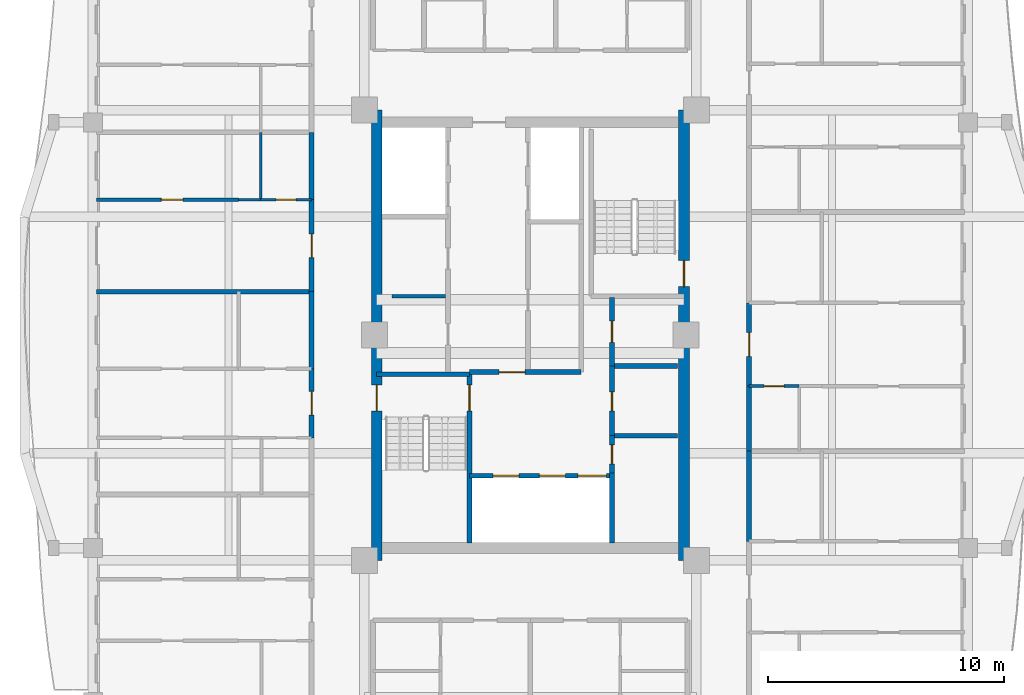
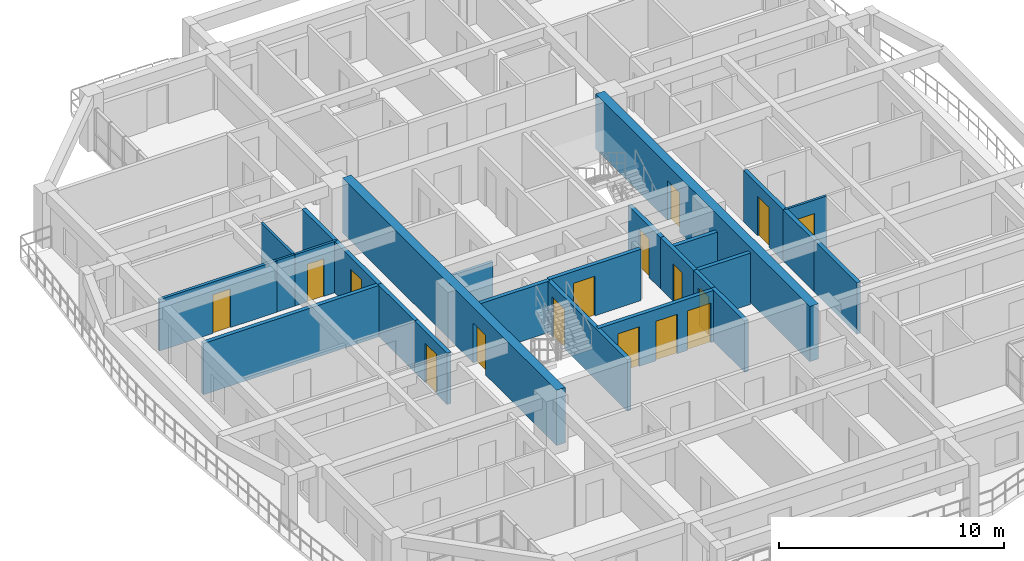
# One storey, part 12 of 22: 26 walls, 16 doors, 16 openings.
"""IFC4 building model written with IfcOpenShell, lengths in metres."""

from ifc_helpers import new_model, si_unit, direction, frame, frame_2d, origin, place, context, subcontext, project, spatial, rectangle, extrude, source, transform, mapped, material, layer, layer_set, type_object, element, fill, save


model = new_model("IFC4")

# Units and contexts
model_context = context("Model", 3, precision=1e-05, world=origin(), true_north=direction((0.0, 1.0)))
body_context = subcontext(model_context, "Body", "Model", "MODEL_VIEW")
ifc_project = project(units=[si_unit("LENGTHUNIT", "METRE"), si_unit("AREAUNIT", "SQUARE_METRE"), si_unit("VOLUMEUNIT", "CUBIC_METRE"), si_unit("PLANEANGLEUNIT", "RADIAN"), si_unit("MASSUNIT", "GRAM", prefix="KILO")], contexts=[model_context])

# Site, building, storey
site_placement = place(None, origin())
site = spatial("IfcSite", under=ifc_project, at=site_placement, CompositionType="ELEMENT")
building_placement = place(site_placement, origin())
building = spatial("IfcBuilding", under=site, at=building_placement, Name="Saelheon Loggia Tower", CompositionType="ELEMENT")
storey_placement = place(building_placement, frame((0.0, 0.0, 196.60009765625)))
storey = spatial("IfcBuildingStorey", under=building, at=storey_placement, Name="L61", CompositionType="ELEMENT", Elevation=196.60009765625)

# Wall, opening, door
ifc_material_1 = material(Name="Concrete C45/55", Category="concrete")
ifc_layer_1 = layer(ifc_material_1, 0.449951171875)
ifc_layer_set_1 = layer_set([ifc_layer_1], Name="Concrete C45/55")
wall_type_1 = type_object("IfcWallType", Name="Wall_CoreShear_450", PredefinedType="SHEAR", material=ifc_layer_set_1)
wall_1_placement = place(storey_placement, frame((31.5, 17.47998046875, 0.0), z_axis=(0.0, 0.0, 1.0), x_axis=(0.0, 1.0, 0.0)))
wall_1 = element("IfcWall", 1, at=wall_1_placement, inside=storey, type_object=wall_type_1, Name="L61 Core Shear Wall West", PredefinedType="SHEAR", context=body_context, shape_type="SweptSolid", body=[
    extrude(rectangle(XDim=19.0400390625, YDim=0.449951171875, at=frame_2d((9.52001953125, 0.0))), origin(), (0.0, 0.0, 1.0), 3.0),
])
opening_1_placement = place(wall_1_placement, frame((6.320068359375, 0.0, 0.0)))
opening_1 = element("IfcOpeningElement", 2, at=opening_1_placement, cuts=wall_1, Name="Opening D-FD2", PredefinedType="OPENING", context=body_context, shape_type="SweptSolid", body=[
    extrude(rectangle(XDim=1.10009765625, YDim=2.14990234375, at=frame_2d((0.550048828125, 1.074951171875))), frame((0.0, 0.237060546875, 0.0), z_axis=(0.0, -1.0, 0.0), x_axis=(1.0, 0.0, 0.0)), (0.0, 0.0, 1.0), 0.473876953125),
])
ifc_material_2 = material(Name="Galvanised Steel Fire Door", Category="steel")
door_type_1 = type_object("IfcDoorType", Name="Door_Fire_FD60_1100", OperationType="NOTDEFINED", PredefinedType="DOOR", material=ifc_material_2)
shared_shape_1 = source(origin(), body_context, "Body", "SweptSolid", [
    extrude(rectangle(XDim=1.10009765625, YDim=2.14990234375, at=frame_2d((0.550048828125, 1.074951171875))), frame((0.0, 0.02490234375, 0.0), z_axis=(0.0, -1.0, 0.0), x_axis=(1.0, 0.0, 0.0)), (0.0, 0.0, 1.0), 0.050048828125),
])
door_1_placement = place(opening_1_placement, origin())
door_1 = element("IfcDoor", 3, at=door_1_placement, inside=storey, type_object=door_type_1, Name="L61 Stair ST1 Corridor Door", OperationType="SINGLE_SWING_LEFT", OverallHeight=2.14990234375, OverallWidth=1.10009765625, PredefinedType="DOOR", context=body_context, shape_type="MappedRepresentation", body=[
    mapped(shared_shape_1, transform((0.0, 0.0, 0.0), scale=1.0)),
])
fill(opening_1, door_1)

wall_2_placement = place(storey_placement, frame((44.5, 17.47998046875, 0.0), z_axis=(0.0, 0.0, 1.0), x_axis=(0.0, 1.0, 0.0)))
wall_2 = element("IfcWall", 4, at=wall_2_placement, inside=storey, type_object=wall_type_1, Name="L61 Core Shear Wall East", PredefinedType="SHEAR", context=body_context, shape_type="SweptSolid", body=[
    extrude(rectangle(XDim=19.0400390625, YDim=0.449951171875, at=frame_2d((9.52001953125, 0.0))), origin(), (0.0, 0.0, 1.0), 3.0),
])
opening_2_placement = place(wall_2_placement, frame((12.670166015625, 0.0, 0.0), z_axis=(0.0, 0.0, 1.0), x_axis=(-1.0, 0.0, 0.0)))
opening_2 = element("IfcOpeningElement", 5, at=opening_2_placement, cuts=wall_2, Name="Opening D-FD2", PredefinedType="OPENING", context=body_context, shape_type="SweptSolid", body=[
    extrude(rectangle(XDim=1.10009765625, YDim=2.14990234375, at=frame_2d((0.550048828125, 1.074951171875))), frame((0.0, 0.237060546875, 0.0), z_axis=(0.0, -1.0, 0.0), x_axis=(1.0, 0.0, 0.0)), (0.0, 0.0, 1.0), 0.473876953125),
])
door_2_placement = place(opening_2_placement, origin())
door_2 = element("IfcDoor", 6, at=door_2_placement, inside=storey, type_object=door_type_1, Name="L61 Stair ST2 Corridor Door", OperationType="SINGLE_SWING_RIGHT", OverallHeight=2.14990234375, OverallWidth=1.10009765625, PredefinedType="DOOR", context=body_context, shape_type="MappedRepresentation", body=[
    mapped(shared_shape_1, transform((0.0, 0.0, 0.0), scale=1.0)),
])
fill(opening_2, door_2)

# Wall
ifc_material_3 = material(Name="Lightweight Autoclaved Aerated Concrete Block and Acoustic Gypsum", Category="concrete")
ifc_layer_2 = layer(ifc_material_3, 0.14990234375)
ifc_layer_set_2 = layer_set([ifc_layer_2], Name="Lightweight Autoclaved Aerated Concrete Block and Acoustic Gypsum")
wall_type_2 = type_object("IfcWallType", Name="Wall_Part_150", PredefinedType="PARTITIONING", material=ifc_layer_set_2)
wall_3_placement = place(storey_placement, frame((32.14990234375, 28.64990234375, 0.0), z_axis=(0.0, 0.0, 1.0), x_axis=(1.0, 0.0, 0.0)))
element("IfcWall", 7, at=wall_3_placement, inside=storey, type_object=wall_type_2, Name="L61 Freed Core Partition PL", PredefinedType="PARTITIONING", context=body_context, shape_type="SweptSolid", body=[
    extrude(rectangle(XDim=2.27001953125, YDim=0.14990234375, at=frame_2d((1.135009765625, 0.0))), origin(), (0.0, 0.0, 1.0), 2.139892578125),
])

# Wall, opening, door
wall_4_placement = place(storey_placement, frame((25.669921875, 32.729248046875, 0.0), z_axis=(0.0, 0.0, 1.0), x_axis=(-1.0, 0.0, 0.0)))
wall_4 = element("IfcWall", 8, at=wall_4_placement, inside=storey, type_object=wall_type_2, Name="L61 W Partition U30", PredefinedType="PARTITIONING", context=body_context, shape_type="SweptSolid", body=[
    extrude(rectangle(XDim=6.02001953125, YDim=0.14990234375, at=frame_2d((3.010009765625, 0.0))), origin(), (0.0, 0.0, 1.0), 2.789794921875),
])
opening_3_placement = place(wall_4_placement, frame((2.36669921875, 0.0, 0.0)))
opening_3 = element("IfcOpeningElement", 9, at=opening_3_placement, cuts=wall_4, Name="Opening D-IN2", PredefinedType="OPENING", context=body_context, shape_type="SweptSolid", body=[
    extrude(rectangle(XDim=0.89990234375, YDim=2.10009765625, at=frame_2d((0.449951171875, 1.050048828125))), frame((0.0, 0.0869140625, 0.0), z_axis=(0.0, -1.0, 0.0), x_axis=(1.0, 0.0, 0.0)), (0.0, 0.0, 1.0), 0.173828125),
])
ifc_material_4 = material(Name="Engineered Oak Flush Door", Category="timber")
door_type_2 = type_object("IfcDoorType", Name="Door_Int_900", OperationType="NOTDEFINED", PredefinedType="DOOR", material=ifc_material_4)
shared_shape_2 = source(origin(), body_context, "Body", "SweptSolid", [
    extrude(rectangle(XDim=0.89990234375, YDim=2.10009765625, at=frame_2d((0.449951171875, 1.050048828125))), frame((0.0, 0.02490234375, 0.0), z_axis=(0.0, -1.0, 0.0), x_axis=(1.0, 0.0, 0.0)), (0.0, 0.0, 1.0), 0.050048828125),
])
door_3_placement = place(opening_3_placement, origin())
door_3 = element("IfcDoor", 10, at=door_3_placement, inside=storey, type_object=door_type_2, Name="Unit U07 Kitchen Door", OperationType="SINGLE_SWING_LEFT", OverallHeight=2.10009765625, OverallWidth=0.89990234375, PredefinedType="DOOR", context=body_context, shape_type="MappedRepresentation", body=[
    mapped(shared_shape_2, transform((0.0, 0.0, 0.0), scale=1.0)),
])
fill(opening_3, door_3)

ifc_material_5 = material(Name="Double Acoustic Stud and Fireboard Partition", Category="gypsum")
ifc_layer_3 = layer(ifc_material_5, 0.199951171875)
ifc_layer_set_3 = layer_set([ifc_layer_3], Name="Double Acoustic Stud and Fireboard Partition")
wall_type_3 = type_object("IfcWallType", Name="Wall_Party_200", PredefinedType="PARTITIONING", material=ifc_layer_set_3)
wall_5_placement = place(storey_placement, frame((28.75, 22.661376953125, 0.0), z_axis=(0.0, 0.0, 1.0), x_axis=(0.0, 1.0, 0.0)))
wall_5 = element("IfcWall", 11, at=wall_5_placement, inside=storey, type_object=wall_type_3, Name="L61 W Partition V15", PredefinedType="PARTITIONING", context=body_context, shape_type="SweptSolid", body=[
    extrude(rectangle(XDim=2.9169921875, YDim=0.199951171875, at=frame_2d((1.45849609375, 0.0))), origin(), (0.0, 0.0, 1.0), 2.789794921875),
])
opening_4_placement = place(wall_5_placement, frame((0.95849609375, 0.0, 0.0)))
opening_4 = element("IfcOpeningElement", 12, at=opening_4_placement, cuts=wall_5, Name="Opening D-FD1", PredefinedType="OPENING", context=body_context, shape_type="SweptSolid", body=[
    extrude(rectangle(XDim=1.0, YDim=2.14990234375, at=frame_2d((0.5, 1.074951171875))), frame((0.0, 0.112060546875, 0.0), z_axis=(0.0, -1.0, 0.0), x_axis=(1.0, 0.0, 0.0)), (0.0, 0.0, 1.0), 0.223876953125),
])
ifc_material_6 = material(Name="Fire-Rated Engineered Timber Entrance Door", Category="wood")
door_type_3 = type_object("IfcDoorType", Name="Door_Flat_FD30S", OperationType="NOTDEFINED", PredefinedType="DOOR", material=ifc_material_6)
shared_shape_3 = source(origin(), body_context, "Body", "SweptSolid", [
    extrude(rectangle(XDim=1.0, YDim=2.14990234375, at=frame_2d((0.5, 1.074951171875))), frame((0.0, 0.02490234375, 0.0), z_axis=(0.0, -1.0, 0.0), x_axis=(1.0, 0.0, 0.0)), (0.0, 0.0, 1.0), 0.050048828125),
])
door_4_placement = place(opening_4_placement, origin())
door_4 = element("IfcDoor", 13, at=door_4_placement, inside=storey, type_object=door_type_3, Name="Unit U06 Entrance Door", OperationType="SINGLE_SWING_RIGHT", OverallHeight=2.14990234375, OverallWidth=1.0, PredefinedType="DOOR", context=body_context, shape_type="MappedRepresentation", body=[
    mapped(shared_shape_3, transform((0.0, 0.0, 0.0), scale=1.0)),
])
fill(opening_4, door_4)

# Walls
wall_6_placement = place(storey_placement, frame((28.75, 25.578369140625, 0.0), z_axis=(0.0, 0.0, 1.0), x_axis=(0.0, 1.0, 0.0)))
element("IfcWall", 14, at=wall_6_placement, inside=storey, type_object=wall_type_3, Name="L61 W Partition V16", PredefinedType="PARTITIONING", context=body_context, shape_type="SweptSolid", body=[
    extrude(rectangle(XDim=3.260009765625, YDim=0.199951171875, at=frame_2d((1.6298828125, 0.0))), origin(), (0.0, 0.0, 1.0), 2.789794921875),
])
wall_7_placement = place(storey_placement, frame((28.75, 28.83837890625, 0.0), z_axis=(0.0, 0.0, 1.0), x_axis=(-1.0, 0.0, 0.0)))
element("IfcWall", 15, at=wall_7_placement, inside=storey, type_object=wall_type_3, Name="L61 W Partition U24", PredefinedType="PARTITIONING", context=body_context, shape_type="SweptSolid", body=[
    extrude(rectangle(XDim=9.10009765625, YDim=0.199951171875, at=frame_2d((4.550048828125, 0.0))), origin(), (0.0, 0.0, 1.0), 2.789794921875),
])

# Wall, opening, door
wall_8_placement = place(storey_placement, frame((28.75, 28.83837890625, 0.0), z_axis=(0.0, 0.0, 1.0), x_axis=(0.0, 1.0, 0.0)))
wall_8 = element("IfcWall", 16, at=wall_8_placement, inside=storey, type_object=wall_type_3, Name="L61 W Partition V25", PredefinedType="PARTITIONING", context=body_context, shape_type="SweptSolid", body=[
    extrude(rectangle(XDim=3.890869140625, YDim=0.199951171875, at=frame_2d((1.9453125, 0.0))), origin(), (0.0, 0.0, 1.0), 2.789794921875),
])
opening_5_placement = place(wall_8_placement, frame((1.4453125, 0.0, 0.0)))
opening_5 = element("IfcOpeningElement", 17, at=opening_5_placement, cuts=wall_8, Name="Opening D-FD1", PredefinedType="OPENING", context=body_context, shape_type="SweptSolid", body=[
    extrude(rectangle(XDim=1.0, YDim=2.14990234375, at=frame_2d((0.5, 1.074951171875))), frame((0.0, 0.112060546875, 0.0), z_axis=(0.0, -1.0, 0.0), x_axis=(1.0, 0.0, 0.0)), (0.0, 0.0, 1.0), 0.223876953125),
])
door_5_placement = place(opening_5_placement, origin())
door_5 = element("IfcDoor", 18, at=door_5_placement, inside=storey, type_object=door_type_3, Name="Unit U07 Entrance Door", OperationType="SINGLE_SWING_LEFT", OverallHeight=2.14990234375, OverallWidth=1.0, PredefinedType="DOOR", context=body_context, shape_type="MappedRepresentation", body=[
    mapped(shared_shape_3, transform((0.0, 0.0, 0.0), scale=1.0)),
])
fill(opening_5, door_5)

# Walls
wall_9_placement = place(storey_placement, frame((28.75, 32.729248046875, 0.0), z_axis=(0.0, 0.0, 1.0), x_axis=(0.0, 1.0, 0.0)))
element("IfcWall", 19, at=wall_9_placement, inside=storey, type_object=wall_type_3, Name="L61 W Partition V26", PredefinedType="PARTITIONING", context=body_context, shape_type="SweptSolid", body=[
    extrude(rectangle(XDim=2.849853515625, YDim=0.199951171875, at=frame_2d((1.4248046875, 0.0))), origin(), (0.0, 0.0, 1.0), 2.789794921875),
])
wall_10_placement = place(storey_placement, frame((47.25, 18.280029296875, 0.0), z_axis=(0.0, 0.0, 1.0), x_axis=(0.0, 1.0, 0.0)))
element("IfcWall", 20, at=wall_10_placement, inside=storey, type_object=wall_type_3, Name="L61 E Partition V05", PredefinedType="PARTITIONING", context=body_context, shape_type="SweptSolid", body=[
    extrude(rectangle(XDim=3.817626953125, YDim=0.199951171875, at=frame_2d((1.90869140625, 0.0))), origin(), (0.0, 0.0, 1.0), 2.789794921875),
])
wall_11_placement = place(storey_placement, frame((47.25, 22.09765625, 0.0), z_axis=(0.0, 0.0, 1.0), x_axis=(0.0, 1.0, 0.0)))
element("IfcWall", 21, at=wall_11_placement, inside=storey, type_object=wall_type_3, Name="L61 E Partition V14", PredefinedType="PARTITIONING", context=body_context, shape_type="SweptSolid", body=[
    extrude(rectangle(XDim=2.75, YDim=0.199951171875, at=frame_2d((1.375, 0.0))), origin(), (0.0, 0.0, 1.0), 2.789794921875),
])

# Wall, opening, door
wall_12_placement = place(storey_placement, frame((47.25, 24.84765625, 0.0), z_axis=(0.0, 0.0, 1.0), x_axis=(0.0, 1.0, 0.0)))
wall_12 = element("IfcWall", 22, at=wall_12_placement, inside=storey, type_object=wall_type_3, Name="L61 E Partition V15", PredefinedType="PARTITIONING", context=body_context, shape_type="SweptSolid", body=[
    extrude(rectangle(XDim=3.518798828125, YDim=0.199951171875, at=frame_2d((1.75927734375, 0.0))), origin(), (0.0, 0.0, 1.0), 2.789794921875),
])
opening_6_placement = place(wall_12_placement, frame((1.259521484375, 0.0, 0.0)))
opening_6 = element("IfcOpeningElement", 23, at=opening_6_placement, cuts=wall_12, Name="Opening D-FD1", PredefinedType="OPENING", context=body_context, shape_type="SweptSolid", body=[
    extrude(rectangle(XDim=1.0, YDim=2.14990234375, at=frame_2d((0.5, 1.074951171875))), frame((0.0, 0.112060546875, 0.0), z_axis=(0.0, -1.0, 0.0), x_axis=(1.0, 0.0, 0.0)), (0.0, 0.0, 1.0), 0.223876953125),
])
door_6_placement = place(opening_6_placement, origin())
door_6 = element("IfcDoor", 24, at=door_6_placement, inside=storey, type_object=door_type_3, Name="Unit U10 Entrance Door", OperationType="SINGLE_SWING_RIGHT", OverallHeight=2.14990234375, OverallWidth=1.0, PredefinedType="DOOR", context=body_context, shape_type="MappedRepresentation", body=[
    mapped(shared_shape_3, transform((0.0, 0.0, 0.0), scale=1.0)),
])
fill(opening_6, door_6)

# Walls
ifc_material_7 = material(Name="Concrete C40/50", Category="concrete")
ifc_layer_4 = layer(ifc_material_7, 0.199951171875)
ifc_layer_set_4 = layer_set([ifc_layer_4], Name="Concrete C40/50")
wall_type_4 = type_object("IfcWallType", Name="Wall_Shaft_200", PredefinedType="PARTITIONING", material=ifc_layer_set_4)
wall_13_placement = place(storey_placement, frame((41.550048828125, 22.75, 0.0), z_axis=(0.0, 0.0, 1.0), x_axis=(1.0, 0.0, 0.0)))
element("IfcWall", 25, at=wall_13_placement, inside=storey, type_object=wall_type_4, Name="CW-BOH-L61-H1", PredefinedType="PARTITIONING", context=body_context, shape_type="SweptSolid", body=[
    extrude(rectangle(XDim=2.669921875, YDim=0.199951171875, at=frame_2d((1.3349609375, 0.0))), origin(), (0.0, 0.0, 1.0), 2.789794921875),
])
wall_14_placement = place(storey_placement, frame((41.550048828125, 25.699951171875, 0.0), z_axis=(0.0, 0.0, 1.0), x_axis=(1.0, 0.0, 0.0)))
element("IfcWall", 26, at=wall_14_placement, inside=storey, type_object=wall_type_4, Name="CW-BOH-L61-H2", PredefinedType="PARTITIONING", context=body_context, shape_type="SweptSolid", body=[
    extrude(rectangle(XDim=2.669921875, YDim=0.199951171875, at=frame_2d((1.3349609375, 0.0))), origin(), (0.0, 0.0, 1.0), 2.139892578125),
])
wall_15_placement = place(storey_placement, frame((41.449951171875, 18.219970703125, 0.0), z_axis=(0.0, 0.0, 1.0), x_axis=(0.0, 1.0, 0.0)))
element("IfcWall", 27, at=wall_15_placement, inside=storey, type_object=wall_type_4, Name="CW-INT-L61-BOH-W0", PredefinedType="PARTITIONING", context=body_context, shape_type="SweptSolid", body=[
    extrude(rectangle(XDim=2.9599609375, YDim=0.199951171875, at=frame_2d((1.47998046875, 0.0))), origin(), (0.0, 0.0, 1.0), 2.789794921875),
])

# Wall, opening, door
wall_16_placement = place(storey_placement, frame((41.449951171875, 21.179931640625, 0.0), z_axis=(0.0, 0.0, 1.0), x_axis=(0.0, 1.0, 0.0)))
wall_16 = element("IfcWall", 28, at=wall_16_placement, inside=storey, type_object=wall_type_4, Name="CW-INT-L61-BOH-W1", PredefinedType="PARTITIONING", context=body_context, shape_type="SweptSolid", body=[
    extrude(rectangle(XDim=1.570068359375, YDim=0.199951171875, at=frame_2d((0.78515625, 0.0))), origin(), (0.0, 0.0, 1.0), 2.789794921875),
])
opening_7_placement = place(wall_16_placement, frame((0.3798828125, 0.0, 0.0)))
opening_7 = element("IfcOpeningElement", 29, at=opening_7_placement, cuts=wall_16, Name="Opening D-ST1", PredefinedType="OPENING", context=body_context, shape_type="SweptSolid", body=[
    extrude(rectangle(XDim=0.800048828125, YDim=2.050048828125, at=frame_2d((0.39990234375, 1.02490234375))), frame((0.0, 0.112060546875, 0.0), z_axis=(0.0, -1.0, 0.0), x_axis=(1.0, 0.0, 0.0)), (0.0, 0.0, 1.0), 0.223876953125),
])
ifc_material_8 = material(Name="Powder-Coated Steel Store Door", Category="steel")
door_type_4 = type_object("IfcDoorType", Name="Door_Store_800", OperationType="NOTDEFINED", PredefinedType="DOOR", material=ifc_material_8)
shared_shape_4 = source(origin(), body_context, "Body", "SweptSolid", [
    extrude(rectangle(XDim=0.800048828125, YDim=2.050048828125, at=frame_2d((0.39990234375, 1.02490234375))), frame((0.0, 0.02490234375, 0.0), z_axis=(0.0, -1.0, 0.0), x_axis=(1.0, 0.0, 0.0)), (0.0, 0.0, 1.0), 0.050048828125),
])
door_7_placement = place(opening_7_placement, origin())
door_7 = element("IfcDoor", 30, at=door_7_placement, inside=storey, type_object=door_type_4, Name="L61 Cleaner Store Door", OperationType="SINGLE_SWING_RIGHT", OverallHeight=2.050048828125, OverallWidth=0.800048828125, PredefinedType="DOOR", context=body_context, shape_type="MappedRepresentation", body=[
    mapped(shared_shape_4, transform((0.0, 0.0, 0.0), scale=1.0)),
])
fill(opening_7, door_7)

wall_17_placement = place(storey_placement, frame((41.449951171875, 22.75, 0.0), z_axis=(0.0, 0.0, 1.0), x_axis=(0.0, 1.0, 0.0)))
wall_17 = element("IfcWall", 31, at=wall_17_placement, inside=storey, type_object=wall_type_4, Name="CW-INT-L61-BOH-W2", PredefinedType="PARTITIONING", context=body_context, shape_type="SweptSolid", body=[
    extrude(rectangle(XDim=2.949951171875, YDim=0.199951171875, at=frame_2d((1.47509765625, 0.0))), origin(), (0.0, 0.0, 1.0), 2.789794921875),
])
opening_8_placement = place(wall_17_placement, frame((1.050048828125, 0.0, 0.0)))
opening_8 = element("IfcOpeningElement", 32, at=opening_8_placement, cuts=wall_17, Name="Opening D-ST1", PredefinedType="OPENING", context=body_context, shape_type="SweptSolid", body=[
    extrude(rectangle(XDim=0.800048828125, YDim=2.050048828125, at=frame_2d((0.39990234375, 1.02490234375))), frame((0.0, 0.112060546875, 0.0), z_axis=(0.0, -1.0, 0.0), x_axis=(1.0, 0.0, 0.0)), (0.0, 0.0, 1.0), 0.223876953125),
])
door_8_placement = place(opening_8_placement, origin())
door_8 = element("IfcDoor", 33, at=door_8_placement, inside=storey, type_object=door_type_4, Name="L61 Electrical Riser Door", OperationType="SINGLE_SWING_LEFT", OverallHeight=2.050048828125, OverallWidth=0.800048828125, PredefinedType="DOOR", context=body_context, shape_type="MappedRepresentation", body=[
    mapped(shared_shape_4, transform((0.0, 0.0, 0.0), scale=1.0)),
])
fill(opening_8, door_8)

wall_18_placement = place(storey_placement, frame((41.449951171875, 25.699951171875, 0.0), z_axis=(0.0, 0.0, 1.0), x_axis=(0.0, 1.0, 0.0)))
wall_18 = element("IfcWall", 34, at=wall_18_placement, inside=storey, type_object=wall_type_4, Name="CW-INT-L61-BOH-W3", PredefinedType="PARTITIONING", context=body_context, shape_type="SweptSolid", body=[
    extrude(rectangle(XDim=2.900146484375, YDim=0.199951171875, at=frame_2d((1.4501953125, 0.0))), origin(), (0.0, 0.0, 1.0), 2.789794921875),
])
opening_9_placement = place(wall_18_placement, frame((1.0, 0.0, 0.0)))
opening_9 = element("IfcOpeningElement", 35, at=opening_9_placement, cuts=wall_18, Name="Opening D-RS1", PredefinedType="OPENING", context=body_context, shape_type="SweptSolid", body=[
    extrude(rectangle(XDim=0.89990234375, YDim=2.10009765625, at=frame_2d((0.449951171875, 1.050048828125))), frame((0.0, 0.112060546875, 0.0), z_axis=(0.0, -1.0, 0.0), x_axis=(1.0, 0.0, 0.0)), (0.0, 0.0, 1.0), 0.223876953125),
])
ifc_material_9 = material(Name="Galvanised Steel Riser Access Door", Category="steel")
door_type_5 = type_object("IfcDoorType", Name="Door_Riser_FD60", OperationType="NOTDEFINED", PredefinedType="DOOR", material=ifc_material_9)
door_9_placement = place(opening_9_placement, origin())
door_9 = element("IfcDoor", 36, at=door_9_placement, inside=storey, type_object=door_type_5, Name="L61 Floor IT Room Door", OperationType="SINGLE_SWING_RIGHT", OverallHeight=2.10009765625, OverallWidth=0.89990234375, PredefinedType="DOOR", context=body_context, shape_type="MappedRepresentation", body=[
    mapped(shared_shape_2, transform((0.0, 0.0, 0.0), scale=1.0)),
])
fill(opening_9, door_9)

# Wall, openings, doors
wall_19_placement = place(storey_placement, frame((35.429931640625, 21.06005859375, 0.0), z_axis=(0.0, 0.0, 1.0), x_axis=(1.0, 0.0, 0.0)))
wall_19 = element("IfcWall", 37, at=wall_19_placement, inside=storey, type_object=wall_type_4, Name="L61 Firefighting Lift Shaft Front Wall", PredefinedType="PARTITIONING", context=body_context, shape_type="SweptSolid", body=[
    extrude(rectangle(XDim=6.02001953125, YDim=0.199951171875, at=frame_2d((3.010009765625, 0.0))), origin(), (0.0, 0.0, 1.0), 2.789794921875),
])
opening_10_placement = place(wall_19_placement, frame((1.0, 0.0, 0.0)))
opening_10 = element("IfcOpeningElement", 38, at=opening_10_placement, cuts=wall_19, Name="Opening LD2", PredefinedType="OPENING", context=body_context, shape_type="SweptSolid", body=[
    extrude(rectangle(XDim=1.10009765625, YDim=2.14990234375, at=frame_2d((0.550048828125, 1.074951171875))), frame((0.0, 0.112060546875, 0.0), z_axis=(0.0, -1.0, 0.0), x_axis=(1.0, 0.0, 0.0)), (0.0, 0.0, 1.0), 0.223876953125),
])
opening_11_placement = place(wall_19_placement, frame((2.949951171875, 0.0, 0.0)))
opening_11 = element("IfcOpeningElement", 39, at=opening_11_placement, cuts=wall_19, Name="Opening LD2", PredefinedType="OPENING", context=body_context, shape_type="SweptSolid", body=[
    extrude(rectangle(XDim=1.10009765625, YDim=2.14990234375, at=frame_2d((0.550048828125, 1.074951171875))), frame((0.0, 0.112060546875, 0.0), z_axis=(0.0, -1.0, 0.0), x_axis=(1.0, 0.0, 0.0)), (0.0, 0.0, 1.0), 0.223876953125),
])
opening_12_placement = place(wall_19_placement, frame((4.580078125, 0.0, 0.0)))
opening_12 = element("IfcOpeningElement", 40, at=opening_12_placement, cuts=wall_19, Name="Opening LD3", PredefinedType="OPENING", context=body_context, shape_type="SweptSolid", body=[
    extrude(rectangle(XDim=1.199951171875, YDim=2.14990234375, at=frame_2d((0.60009765625, 1.074951171875))), frame((0.0, 0.112060546875, 0.0), z_axis=(0.0, -1.0, 0.0), x_axis=(1.0, 0.0, 0.0)), (0.0, 0.0, 1.0), 0.223876953125),
])
ifc_material_10 = material(Name="Firefighting Stainless Steel 316 Landing Door", Category="steel")
door_type_6 = type_object("IfcDoorType", Name="Door_Lift_LD2", OperationType="DOUBLE_DOOR_SLIDING", PredefinedType="DOOR", material=ifc_material_10)
door_10_placement = place(opening_10_placement, origin())
door_10 = element("IfcDoor", 41, at=door_10_placement, inside=storey, type_object=door_type_6, Name="L61 FF1 Landing Door", OperationType="DOUBLE_DOOR_SLIDING", OverallHeight=2.14990234375, OverallWidth=1.10009765625, PredefinedType="DOOR", context=body_context, shape_type="MappedRepresentation", body=[
    mapped(shared_shape_1, transform((0.0, 0.0, 0.0), scale=1.0)),
])
fill(opening_10, door_10)
door_11_placement = place(opening_11_placement, origin())
door_11 = element("IfcDoor", 42, at=door_11_placement, inside=storey, type_object=door_type_6, Name="L61 FF2 Landing Door", OperationType="DOUBLE_DOOR_SLIDING", OverallHeight=2.14990234375, OverallWidth=1.10009765625, PredefinedType="DOOR", context=body_context, shape_type="MappedRepresentation", body=[
    mapped(shared_shape_1, transform((0.0, 0.0, 0.0), scale=1.0)),
])
fill(opening_11, door_11)
ifc_material_11 = material(Name="Stretcher Lift Stainless Steel 304 Landing Door", Category="steel")
door_type_7 = type_object("IfcDoorType", Name="Door_Lift_LD3", OperationType="DOUBLE_DOOR_SLIDING", PredefinedType="DOOR", material=ifc_material_11)
shared_shape_5 = source(origin(), body_context, "Body", "SweptSolid", [
    extrude(rectangle(XDim=1.199951171875, YDim=2.14990234375, at=frame_2d((0.60009765625, 1.074951171875))), frame((0.0, 0.02490234375, 0.0), z_axis=(0.0, -1.0, 0.0), x_axis=(1.0, 0.0, 0.0)), (0.0, 0.0, 1.0), 0.050048828125),
])
door_12_placement = place(opening_12_placement, origin())
door_12 = element("IfcDoor", 43, at=door_12_placement, inside=storey, type_object=door_type_7, Name="L61 SV1 Landing Door", OperationType="DOUBLE_DOOR_SLIDING", OverallHeight=2.14990234375, OverallWidth=1.199951171875, PredefinedType="DOOR", context=body_context, shape_type="MappedRepresentation", body=[
    mapped(shared_shape_5, transform((0.0, 0.0, 0.0), scale=1.0)),
])
fill(opening_12, door_12)

# Wall, opening, door
wall_20_placement = place(storey_placement, frame((35.429931640625, 25.43994140625, 0.0), z_axis=(0.0, 0.0, 1.0), x_axis=(1.0, 0.0, 0.0)))
wall_20 = element("IfcWall", 44, at=wall_20_placement, inside=storey, type_object=wall_type_4, Name="L61 Firefighting Lobby Compartment Wall", PredefinedType="PARTITIONING", context=body_context, shape_type="SweptSolid", body=[
    extrude(rectangle(XDim=4.719970703125, YDim=0.199951171875, at=frame_2d((2.35986328125, 0.0))), origin(), (0.0, 0.0, 1.0), 2.789794921875),
])
opening_13_placement = place(wall_20_placement, frame((1.25, 0.0, 0.0)))
opening_13 = element("IfcOpeningElement", 45, at=opening_13_placement, cuts=wall_20, Name="Opening D-FD2", PredefinedType="OPENING", context=body_context, shape_type="SweptSolid", body=[
    extrude(rectangle(XDim=1.10009765625, YDim=2.14990234375, at=frame_2d((0.550048828125, 1.074951171875))), frame((0.0, 0.112060546875, 0.0), z_axis=(0.0, -1.0, 0.0), x_axis=(1.0, 0.0, 0.0)), (0.0, 0.0, 1.0), 0.223876953125),
])
door_13_placement = place(opening_13_placement, origin())
door_13 = element("IfcDoor", 46, at=door_13_placement, inside=storey, type_object=door_type_1, Name="L61 Firefighting Lobby Door", OperationType="SINGLE_SWING_LEFT", OverallHeight=2.14990234375, OverallWidth=1.10009765625, PredefinedType="DOOR", context=body_context, shape_type="MappedRepresentation", body=[
    mapped(shared_shape_1, transform((0.0, 0.0, 0.0), scale=1.0)),
])
fill(opening_13, door_13)

ifc_layer_5 = layer(ifc_material_1, 0.199951171875)
ifc_layer_set_5 = layer_set([ifc_layer_5], Name="Concrete C45/55")
wall_type_5 = type_object("IfcWallType", Name="Wall_StairShaft_RC200", PredefinedType="SOLIDWALL", material=ifc_layer_set_5)
wall_21_placement = place(storey_placement, frame((35.429931640625, 18.219970703125, 0.0), z_axis=(0.0, 0.0, 1.0), x_axis=(0.0, 1.0, 0.0)))
wall_21 = element("IfcWall", 47, at=wall_21_placement, inside=storey, type_object=wall_type_5, Name="L61 Stair ST1 Shaft Wall", PredefinedType="SOLIDWALL", context=body_context, shape_type="SweptSolid", body=[
    extrude(rectangle(XDim=7.219970703125, YDim=0.199951171875, at=frame_2d((3.60986328125, 0.0))), origin(), (0.0, 0.0, 1.0), 2.789794921875),
])
opening_14_placement = place(wall_21_placement, frame((6.68017578125, 0.0, 0.0), z_axis=(0.0, 0.0, 1.0), x_axis=(-1.0, 0.0, 0.0)))
opening_14 = element("IfcOpeningElement", 48, at=opening_14_placement, cuts=wall_21, Name="Opening D-FD2", PredefinedType="OPENING", context=body_context, shape_type="SweptSolid", body=[
    extrude(rectangle(XDim=1.10009765625, YDim=2.14990234375, at=frame_2d((0.550048828125, 1.074951171875))), frame((0.0, 0.112060546875, 0.0), z_axis=(0.0, -1.0, 0.0), x_axis=(1.0, 0.0, 0.0)), (0.0, 0.0, 1.0), 0.223876953125),
])
door_14_placement = place(opening_14_placement, origin())
door_14 = element("IfcDoor", 49, at=door_14_placement, inside=storey, type_object=door_type_1, Name="L61 Stair ST1 Lobby Door", OperationType="SINGLE_SWING_RIGHT", OverallHeight=2.14990234375, OverallWidth=1.10009765625, PredefinedType="DOOR", context=body_context, shape_type="MappedRepresentation", body=[
    mapped(shared_shape_1, transform((0.0, 0.0, 0.0), scale=1.0)),
])
fill(opening_14, door_14)

# Wall
wall_22_placement = place(storey_placement, frame((31.5, 25.35009765625, 0.0), z_axis=(0.0, 0.0, 1.0), x_axis=(1.0, 0.0, 0.0)))
element("IfcWall", 50, at=wall_22_placement, inside=storey, type_object=wall_type_5, Name="L61 Stair ST1 North Wall", PredefinedType="SOLIDWALL", context=body_context, shape_type="SweptSolid", body=[
    extrude(rectangle(XDim=3.929931640625, YDim=0.199951171875, at=frame_2d((1.96484375, 0.0))), origin(), (0.0, 0.0, 1.0), 2.789794921875),
])

# Wall, opening, door
ifc_material_12 = material(Name="Moisture-Resistant Cement Board Partition", Category="gypsum")
ifc_layer_6 = layer(ifc_material_12, 0.1201171875)
ifc_layer_set_6 = layer_set([ifc_layer_6], Name="Moisture-Resistant Cement Board Partition")
wall_type_6 = type_object("IfcWallType", Name="Wall_WetPart_120", PredefinedType="PARTITIONING", material=ifc_layer_set_6)
wall_23_placement = place(storey_placement, frame((28.75, 32.729248046875, 0.0), z_axis=(0.0, 0.0, 1.0), x_axis=(-1.0, 0.0, 0.0)))
wall_23 = element("IfcWall", 51, at=wall_23_placement, inside=storey, type_object=wall_type_6, Name="L61 W Partition U27", PredefinedType="PARTITIONING", context=body_context, shape_type="SweptSolid", body=[
    extrude(rectangle(XDim=2.14990234375, YDim=0.1201171875, at=frame_2d((1.074951171875, 0.0))), origin(), (0.0, 0.0, 1.0), 2.789794921875),
])
opening_15_placement = place(wall_23_placement, frame((0.64990234375, 0.0, 0.0)))
opening_15 = element("IfcOpeningElement", 52, at=opening_15_placement, cuts=wall_23, Name="Opening D-BT1", PredefinedType="OPENING", context=body_context, shape_type="SweptSolid", body=[
    extrude(rectangle(XDim=0.85009765625, YDim=2.050048828125, at=frame_2d((0.425048828125, 1.02490234375))), frame((0.0, 0.072021484375, 0.0), z_axis=(0.0, -1.0, 0.0), x_axis=(1.0, 0.0, 0.0)), (0.0, 0.0, 1.0), 0.14404296875),
])
ifc_material_13 = material(Name="Moisture-Resistant Laminate Timber Door", Category="wood")
door_type_8 = type_object("IfcDoorType", Name="Door_Bath_850", OperationType="NOTDEFINED", PredefinedType="DOOR", material=ifc_material_13)
shared_shape_6 = source(origin(), body_context, "Body", "SweptSolid", [
    extrude(rectangle(XDim=0.85009765625, YDim=2.050048828125, at=frame_2d((0.425048828125, 1.02490234375))), frame((0.0, 0.02490234375, 0.0), z_axis=(0.0, -1.0, 0.0), x_axis=(1.0, 0.0, 0.0)), (0.0, 0.0, 1.0), 0.050048828125),
])
door_15_placement = place(opening_15_placement, origin())
door_15 = element("IfcDoor", 53, at=door_15_placement, inside=storey, type_object=door_type_8, Name="Unit U07 Bathroom Door", OperationType="SINGLE_SWING_RIGHT", OverallHeight=2.050048828125, OverallWidth=0.85009765625, PredefinedType="DOOR", context=body_context, shape_type="MappedRepresentation", body=[
    mapped(shared_shape_6, transform((0.0, 0.0, 0.0), scale=1.0)),
])
fill(opening_15, door_15)

# Walls
wall_24_placement = place(storey_placement, frame((26.60009765625, 32.729248046875, 0.0), z_axis=(0.0, 0.0, 1.0), x_axis=(-1.0, 0.0, 0.0)))
element("IfcWall", 54, at=wall_24_placement, inside=storey, type_object=wall_type_6, Name="L61 W Partition U28", PredefinedType="PARTITIONING", context=body_context, shape_type="SweptSolid", body=[
    extrude(rectangle(XDim=0.93017578125, YDim=0.1201171875, at=frame_2d((0.465087890625, 0.0))), origin(), (0.0, 0.0, 1.0), 2.789794921875),
])
wall_25_placement = place(storey_placement, frame((26.60009765625, 32.729248046875, 0.0), z_axis=(0.0, 0.0, 1.0), x_axis=(0.0, 1.0, 0.0)))
element("IfcWall", 55, at=wall_25_placement, inside=storey, type_object=wall_type_6, Name="L61 W Partition V29", PredefinedType="PARTITIONING", context=body_context, shape_type="SweptSolid", body=[
    extrude(rectangle(XDim=2.849853515625, YDim=0.1201171875, at=frame_2d((1.4248046875, 0.0))), origin(), (0.0, 0.0, 1.0), 2.789794921875),
])

# Wall, opening, door
wall_26_placement = place(storey_placement, frame((47.25, 24.84765625, 0.0), z_axis=(0.0, 0.0, 1.0), x_axis=(1.0, 0.0, 0.0)))
wall_26 = element("IfcWall", 56, at=wall_26_placement, inside=storey, type_object=wall_type_6, Name="L61 E Partition U19", PredefinedType="PARTITIONING", context=body_context, shape_type="SweptSolid", body=[
    extrude(rectangle(XDim=2.1201171875, YDim=0.1201171875, at=frame_2d((1.06005859375, 0.0))), origin(), (0.0, 0.0, 1.0), 2.789794921875),
])
opening_16_placement = place(wall_26_placement, frame((0.635009765625, 0.0, 0.0)))
opening_16 = element("IfcOpeningElement", 57, at=opening_16_placement, cuts=wall_26, Name="Opening D-BT1", PredefinedType="OPENING", context=body_context, shape_type="SweptSolid", body=[
    extrude(rectangle(XDim=0.85009765625, YDim=2.050048828125, at=frame_2d((0.425048828125, 1.02490234375))), frame((0.0, 0.072021484375, 0.0), z_axis=(0.0, -1.0, 0.0), x_axis=(1.0, 0.0, 0.0)), (0.0, 0.0, 1.0), 0.14404296875),
])
door_16_placement = place(opening_16_placement, origin())
door_16 = element("IfcDoor", 58, at=door_16_placement, inside=storey, type_object=door_type_8, Name="Unit U10 Bathroom Door", OperationType="SINGLE_SWING_LEFT", OverallHeight=2.050048828125, OverallWidth=0.85009765625, PredefinedType="DOOR", context=body_context, shape_type="MappedRepresentation", body=[
    mapped(shared_shape_6, transform((0.0, 0.0, 0.0), scale=1.0)),
])
fill(opening_16, door_16)

save(model, "model.ifc")
